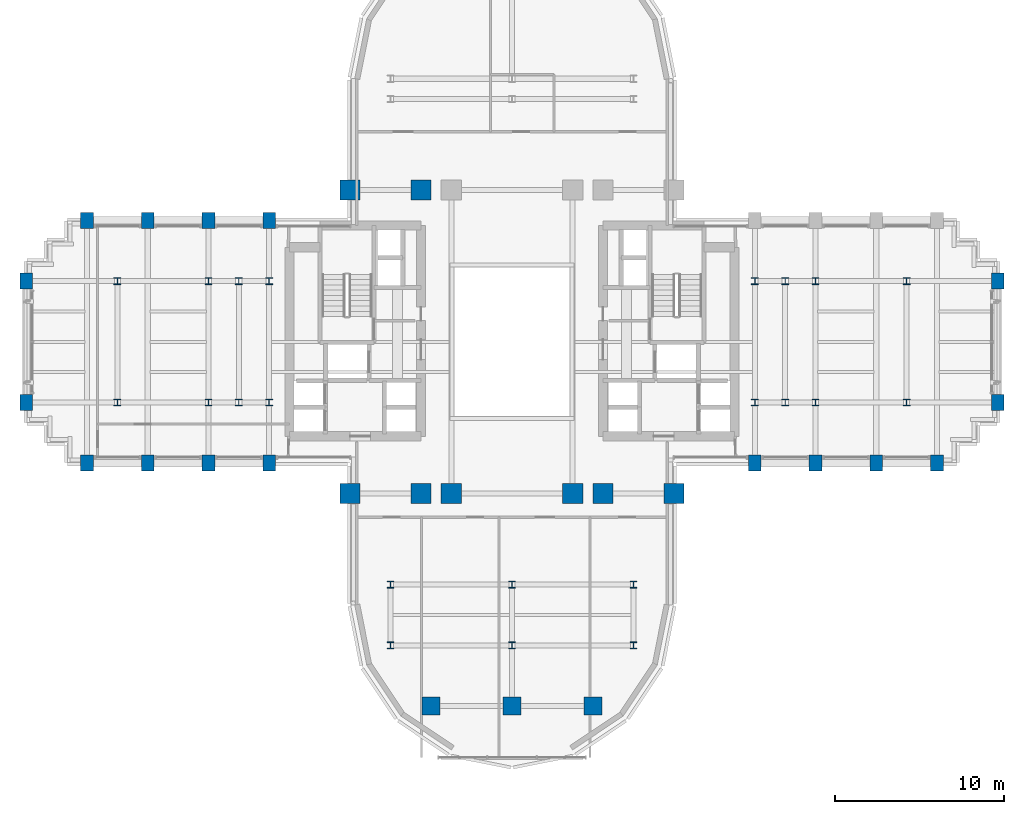
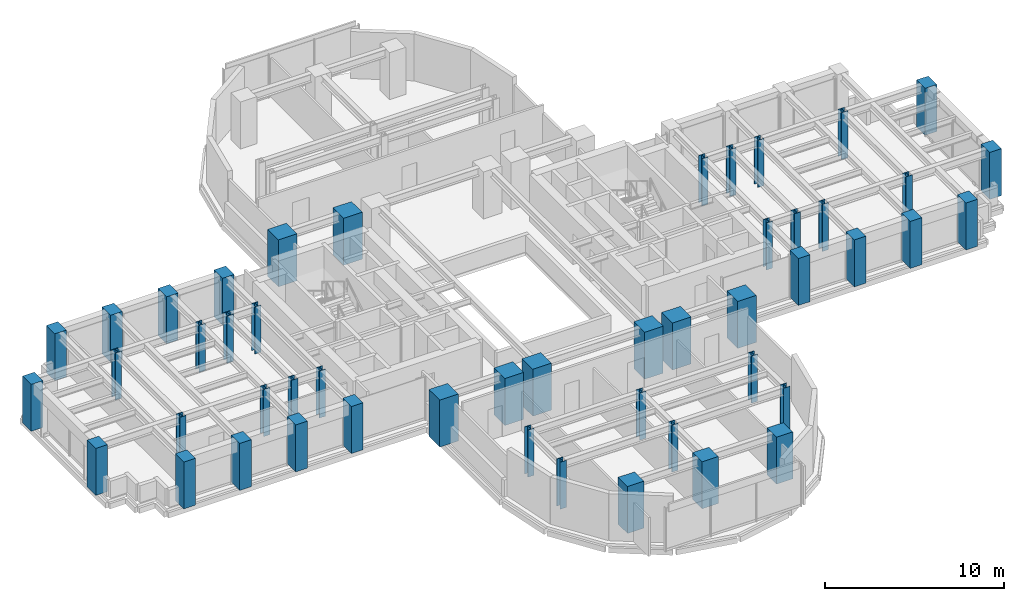
# One storey, part 1 of 16: 49 columns.
"""IFC4 building model written with IfcOpenShell, lengths in metres."""

from ifc_helpers import new_model, si_unit, direction, frame, origin, origin_2d, place, context, subcontext, project, spatial, rectangle, i_section, extrude, source, transform, mapped, material, material_profile, profile_set, type_object, element, save


model = new_model("IFC4")

# Units and contexts
model_context = context("Model", 3, precision=1e-05, world=origin(), true_north=direction((0.0, 1.0)))
body_context = subcontext(model_context, "Body", "Model", "MODEL_VIEW")
ifc_project = project(units=[si_unit("LENGTHUNIT", "METRE"), si_unit("AREAUNIT", "SQUARE_METRE"), si_unit("VOLUMEUNIT", "CUBIC_METRE"), si_unit("PLANEANGLEUNIT", "RADIAN"), si_unit("MASSUNIT", "GRAM", prefix="KILO")], contexts=[model_context])

# Site, building, storey
site_placement = place(None, origin())
site = spatial("IfcSite", under=ifc_project, at=site_placement, CompositionType="ELEMENT")
building_placement = place(site_placement, origin())
building = spatial("IfcBuilding", under=site, at=building_placement, Name="Keilestroom Media Tower", CompositionType="ELEMENT")
storey_placement = place(building_placement, frame((0.0, 0.0, 78.199951171875)))
storey = spatial("IfcBuildingStorey", under=building, at=storey_placement, Name="L20", CompositionType="ELEMENT", Elevation=78.199951171875)

# Columns
ifc_material_1 = material(Name="Precast concrete C40/50", Category="concrete")
ifc_material_profile_1 = material_profile(ifc_material_1, rectangle(XDim=0.75, YDim=0.949951171875, at=origin_2d()), Name="PC 950x750")
ifc_profile_set_1 = profile_set([ifc_material_profile_1], Name="Precast concrete C40/50")
column_type_1 = type_object("IfcColumnType", Name="Structural-Column-PC-950x750", PredefinedType="COLUMN", material=ifc_profile_set_1)
shared_shape_1 = source(origin(), body_context, "Body", "SweptSolid", [
    extrude(rectangle(XDim=0.75, YDim=0.949951171875, at=origin_2d()), origin(), (0.0, 0.0, 1.0), 3.199951171875),
])
for number, where, z_axis, x_axis, name in (
    (1, (-28.800048828125, -3.60009765625, 0.0), (0.0, 0.0, 1.0), (1.0, 0.0, 0.0), "L20 Column PC-1 (-28.8,-3.6)"),
    (2, (-28.800048828125, 3.60009765625, 0.0), (0.0, 0.0, 1.0), (1.0, 0.0, 0.0), "L20 Column PC-1 (-28.8,+3.6)"),
    (3, (-25.199951171875, -7.199951171875, 0.0), (0.0, 0.0, 1.0), (1.0, 0.0, 0.0), "L20 Column PC-1 (-25.2,-7.2)"),
    (4, (-25.199951171875, 7.199951171875, 0.0), (0.0, 0.0, 1.0), (1.0, 0.0, 0.0), "L20 Column PC-1 (-25.2,+7.2)"),
    (5, (-21.60009765625, -7.199951171875, 0.0), (0.0, 0.0, 1.0), (1.0, 0.0, 0.0), "L20 Column PC-1 (-21.6,-7.2)"),
    (6, (-21.60009765625, 7.199951171875, 0.0), (0.0, 0.0, 1.0), (1.0, 0.0, 0.0), "L20 Column PC-1 (-21.6,+7.2)"),
    (7, (-18.0, -7.199951171875, 0.0), (0.0, 0.0, 1.0), (1.0, 0.0, 0.0), "L20 Column PC-1 (-18.0,-7.2)"),
    (8, (-18.0, 7.199951171875, 0.0), (0.0, 0.0, 1.0), (1.0, 0.0, 0.0), "L20 Column PC-1 (-18.0,+7.2)"),
    (9, (-14.39990234375, -7.199951171875, 0.0), (0.0, 0.0, 1.0), (1.0, 0.0, 0.0), "L20 Column PC-1 (-14.4,-7.2)"),
    (10, (-14.39990234375, 7.199951171875, 0.0), (0.0, 0.0, 1.0), (1.0, 0.0, 0.0), "L20 Column PC-1 (-14.4,+7.2)"),
    (11, (14.39990234375, -7.199951171875, 0.0), (0.0, 0.0, 1.0), (1.0, 0.0, 0.0), "L20 Column PC-1 (+14.4,-7.2)"),
    (12, (18.0, -7.199951171875, 0.0), (0.0, 0.0, 1.0), (1.0, 0.0, 0.0), "L20 Column PC-1 (+18.0,-7.2)"),
    (13, (21.60009765625, -7.199951171875, 0.0), (0.0, 0.0, 1.0), (1.0, 0.0, 0.0), "L20 Column PC-1 (+21.6,-7.2)"),
    (14, (25.199951171875, -7.199951171875, 0.0), (0.0, 0.0, 1.0), (1.0, 0.0, 0.0), "L20 Column PC-1 (+25.2,-7.2)"),
    (15, (28.800048828125, -3.60009765625, 0.0), (0.0, 0.0, 1.0), (1.0, 0.0, 0.0), "L20 Column PC-1 (+28.8,-3.6)"),
    (16, (28.800048828125, 3.60009765625, 0.0), (0.0, 0.0, 1.0), (1.0, 0.0, 0.0), "L20 Column PC-1 (+28.8,+3.6)"),
):
    element("IfcColumn", number, at=place(storey_placement, frame(where, z_axis=z_axis, x_axis=x_axis)), inside=storey, type_object=column_type_1, Name=name, PredefinedType="COLUMN", context=body_context, shape_type="MappedRepresentation", body=[
        mapped(shared_shape_1, transform((0.0, 0.0, 0.0), x_axis=(1.0, 0.0, 0.0), y_axis=(0.0, 1.0, 0.0), z_axis=(0.0, 0.0, 1.0), scale=1.0)),
    ])
ifc_material_2 = material(Name="Steel S460", Category="steel")
ifc_material_profile_2 = material_profile(ifc_material_2, i_section(OverallWidth=0.404052734375, OverallDepth=0.406982421875, WebThickness=0.02197265625, FlangeThickness=0.035400390625, at=origin_2d()), Name="HD 400x347")
ifc_profile_set_2 = profile_set([ifc_material_profile_2], Name="Steel S460")
column_type_2 = type_object("IfcColumnType", Name="Structural-Column-HD-400x347", PredefinedType="COLUMN", material=ifc_profile_set_2)
shared_shape_2 = source(origin(), body_context, "Body", "SweptSolid", [
    extrude(i_section(OverallWidth=0.404052734375, OverallDepth=0.406982421875, WebThickness=0.02197265625, FlangeThickness=0.035400390625, at=origin_2d()), origin(), (0.0, 0.0, 1.0), 3.199951171875),
])
for number, where, z_axis, x_axis, name in (
    (17, (-23.39990234375, -3.60009765625, 0.0), (0.0, 0.0, 1.0), (1.0, 0.0, 0.0), "L20 Column SC-2 (-23.4,-3.6)"),
    (18, (-23.39990234375, 3.60009765625, 0.0), (0.0, 0.0, 1.0), (1.0, 0.0, 0.0), "L20 Column SC-2 (-23.4,+3.6)"),
    (19, (-18.0, -3.60009765625, 0.0), (0.0, 0.0, 1.0), (1.0, 0.0, 0.0), "L20 Column SC-2 (-18.0,-3.6)"),
    (20, (-18.0, 3.60009765625, 0.0), (0.0, 0.0, 1.0), (1.0, 0.0, 0.0), "L20 Column SC-2 (-18.0,+3.6)"),
    (21, (-16.199951171875, -3.60009765625, 0.0), (0.0, 0.0, 1.0), (1.0, 0.0, 0.0), "L20 Column SC-2 (-16.2,-3.6)"),
    (22, (-16.199951171875, 3.60009765625, 0.0), (0.0, 0.0, 1.0), (1.0, 0.0, 0.0), "L20 Column SC-2 (-16.2,+3.6)"),
    (23, (-14.39990234375, -3.60009765625, 0.0), (0.0, 0.0, 1.0), (1.0, 0.0, 0.0), "L20 Column SC-2 (-14.4,-3.6)"),
    (24, (-14.39990234375, 3.60009765625, 0.0), (0.0, 0.0, 1.0), (1.0, 0.0, 0.0), "L20 Column SC-2 (-14.4,+3.6)"),
    (25, (-7.199951171875, -18.0, 0.0), (0.0, 0.0, 1.0), (1.0, 0.0, 0.0), "L20 Column SC-2 (-7.2,-18.0)"),
    (26, (-7.199951171875, -14.39990234375, 0.0), (0.0, 0.0, 1.0), (1.0, 0.0, 0.0), "L20 Column SC-2 (-7.2,-14.4)"),
    (27, (0.0, -18.0, 0.0), (0.0, 0.0, 1.0), (1.0, 0.0, 0.0), "L20 Column SC-2 (+0.0,-18.0)"),
    (28, (0.0, -14.39990234375, 0.0), (0.0, 0.0, 1.0), (1.0, 0.0, 0.0), "L20 Column SC-2 (+0.0,-14.4)"),
    (29, (7.199951171875, -18.0, 0.0), (0.0, 0.0, 1.0), (1.0, 0.0, 0.0), "L20 Column SC-2 (+7.2,-18.0)"),
    (30, (7.199951171875, -14.39990234375, 0.0), (0.0, 0.0, 1.0), (1.0, 0.0, 0.0), "L20 Column SC-2 (+7.2,-14.4)"),
    (31, (14.39990234375, -3.60009765625, 0.0), (0.0, 0.0, 1.0), (1.0, 0.0, 0.0), "L20 Column SC-2 (+14.4,-3.6)"),
    (32, (14.39990234375, 3.60009765625, 0.0), (0.0, 0.0, 1.0), (1.0, 0.0, 0.0), "L20 Column SC-2 (+14.4,+3.6)"),
    (33, (16.199951171875, -3.60009765625, 0.0), (0.0, 0.0, 1.0), (1.0, 0.0, 0.0), "L20 Column SC-2 (+16.2,-3.6)"),
    (34, (16.199951171875, 3.60009765625, 0.0), (0.0, 0.0, 1.0), (1.0, 0.0, 0.0), "L20 Column SC-2 (+16.2,+3.6)"),
    (35, (18.0, -3.60009765625, 0.0), (0.0, 0.0, 1.0), (1.0, 0.0, 0.0), "L20 Column SC-2 (+18.0,-3.6)"),
    (36, (18.0, 3.60009765625, 0.0), (0.0, 0.0, 1.0), (1.0, 0.0, 0.0), "L20 Column SC-2 (+18.0,+3.6)"),
    (37, (23.39990234375, -3.60009765625, 0.0), (0.0, 0.0, 1.0), (1.0, 0.0, 0.0), "L20 Column SC-2 (+23.4,-3.6)"),
    (38, (23.39990234375, 3.60009765625, 0.0), (0.0, 0.0, 1.0), (1.0, 0.0, 0.0), "L20 Column SC-2 (+23.4,+3.6)"),
):
    element("IfcColumn", number, at=place(storey_placement, frame(where, z_axis=z_axis, x_axis=x_axis)), inside=storey, type_object=column_type_2, Name=name, PredefinedType="COLUMN", context=body_context, shape_type="MappedRepresentation", body=[
        mapped(shared_shape_2, transform((0.0, 0.0, 0.0), x_axis=(1.0, 0.0, 0.0), y_axis=(0.0, 1.0, 0.0), z_axis=(0.0, 0.0, 1.0), scale=1.0)),
    ])
ifc_material_3 = material(Name="Concrete C70/85", Category="concrete")
ifc_material_profile_3 = material_profile(ifc_material_3, rectangle(XDim=1.199951171875, YDim=1.199951171875, at=origin_2d()), Name="RC 1200x1200")
ifc_profile_set_3 = profile_set([ifc_material_profile_3], Name="Concrete C70/85")
column_type_3 = type_object("IfcColumnType", Name="Structural-Column-RC-1200x1200", PredefinedType="COLUMN", material=ifc_profile_set_3)
shared_shape_3 = source(origin(), body_context, "Body", "SweptSolid", [
    extrude(rectangle(XDim=1.199951171875, YDim=1.199951171875, at=origin_2d()), origin(), (0.0, 0.0, 1.0), 3.199951171875),
])
for number, where, z_axis, x_axis, name in (
    (39, (-9.60009765625, -9.0, 0.0), (0.0, 0.0, 1.0), (1.0, 0.0, 0.0), "L20 Column MC-2 (-9.6,-9.0)"),
    (40, (-9.60009765625, 9.0, 0.0), (0.0, 0.0, 1.0), (1.0, 0.0, 0.0), "L20 Column MC-2 (-9.6,+9.0)"),
    (41, (-5.39990234375, -9.0, 0.0), (0.0, 0.0, 1.0), (1.0, 0.0, 0.0), "L20 Column MC-2 (-5.4,-9.0)"),
    (42, (-5.39990234375, 9.0, 0.0), (0.0, 0.0, 1.0), (1.0, 0.0, 0.0), "L20 Column MC-2 (-5.4,+9.0)"),
    (43, (-3.60009765625, -9.0, 0.0), (0.0, 0.0, 1.0), (1.0, 0.0, 0.0), "L20 Column MC-2 (-3.6,-9.0)"),
    (44, (3.60009765625, -9.0, 0.0), (0.0, 0.0, 1.0), (1.0, 0.0, 0.0), "L20 Column MC-2 (+3.6,-9.0)"),
    (45, (5.39990234375, -9.0, 0.0), (0.0, 0.0, 1.0), (1.0, 0.0, 0.0), "L20 Column MC-2 (+5.4,-9.0)"),
    (46, (9.60009765625, -9.0, 0.0), (0.0, 0.0, 1.0), (1.0, 0.0, 0.0), "L20 Column MC-2 (+9.6,-9.0)"),
):
    element("IfcColumn", number, at=place(storey_placement, frame(where, z_axis=z_axis, x_axis=x_axis)), inside=storey, type_object=column_type_3, Name=name, PredefinedType="COLUMN", context=body_context, shape_type="MappedRepresentation", body=[
        mapped(shared_shape_3, transform((0.0, 0.0, 0.0), x_axis=(1.0, 0.0, 0.0), y_axis=(0.0, 1.0, 0.0), z_axis=(0.0, 0.0, 1.0), scale=1.0)),
    ])
ifc_material_4 = material(Name="Concrete C55/67", Category="concrete")
ifc_material_profile_4 = material_profile(ifc_material_4, rectangle(XDim=1.050048828125, YDim=1.050048828125, at=origin_2d()), Name="RC 1050x1050")
ifc_profile_set_4 = profile_set([ifc_material_profile_4], Name="Concrete C55/67")
column_type_4 = type_object("IfcColumnType", Name="Structural-Column-RC-1050x1050", PredefinedType="COLUMN", material=ifc_profile_set_4)
shared_shape_4 = source(origin(), body_context, "Body", "SweptSolid", [
    extrude(rectangle(XDim=1.050048828125, YDim=1.050048828125, at=origin_2d()), origin(), (0.0, 0.0, 1.0), 3.199951171875),
])
for number, where, z_axis, x_axis, name in (
    (47, (-4.800048828125, -21.60009765625, 0.0), (0.0, 0.0, 1.0), (1.0, 0.0, 0.0), "L20 Column MC-3 (-4.8,-21.6)"),
    (48, (0.0, -21.60009765625, 0.0), (0.0, 0.0, 1.0), (1.0, 0.0, 0.0), "L20 Column MC-3 (+0.0,-21.6)"),
    (49, (4.800048828125, -21.60009765625, 0.0), (0.0, 0.0, 1.0), (1.0, 0.0, 0.0), "L20 Column MC-3 (+4.8,-21.6)"),
):
    element("IfcColumn", number, at=place(storey_placement, frame(where, z_axis=z_axis, x_axis=x_axis)), inside=storey, type_object=column_type_4, Name=name, PredefinedType="COLUMN", context=body_context, shape_type="MappedRepresentation", body=[
        mapped(shared_shape_4, transform((0.0, 0.0, 0.0), x_axis=(1.0, 0.0, 0.0), y_axis=(0.0, 1.0, 0.0), z_axis=(0.0, 0.0, 1.0), scale=1.0)),
    ])

save(model, "model.ifc")
